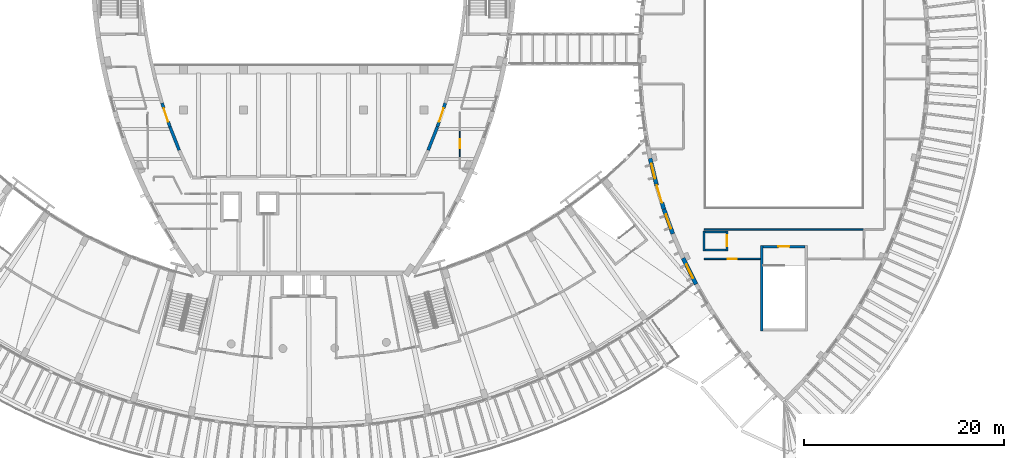
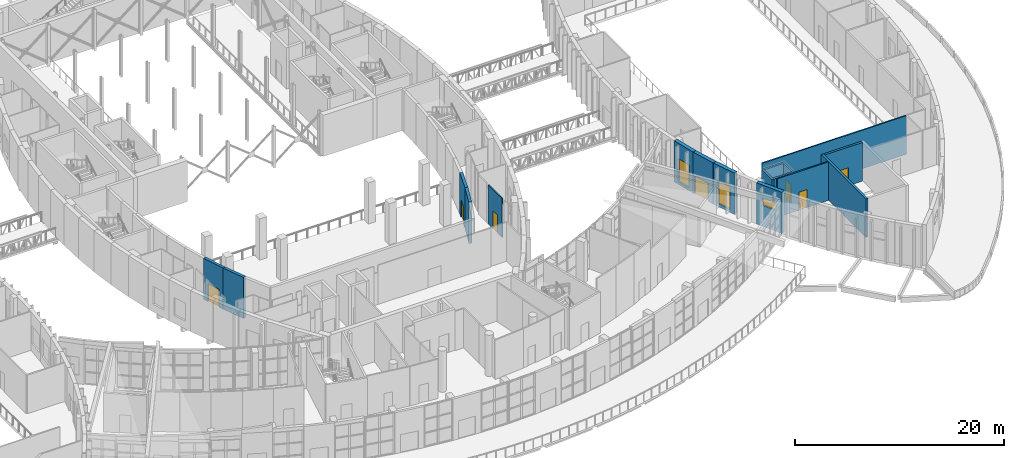
# One storey, part 60 of 93: 17 walls, 7 doors, 3 windows, 10 openings.
"""IFC4 building model written with IfcOpenShell, lengths in metres."""

from ifc_helpers import new_model, si_unit, direction, frame, frame_2d, origin, place, context, subcontext, project, spatial, rectangle, extrude, material, layer, layer_set, type_object, element, fill, save


model = new_model("IFC4")

# Units and contexts
model_context = context("Model", 3, precision=1e-05, world=origin(), true_north=direction((0.0, 1.0)))
body_context = subcontext(model_context, "Body", "Model", "MODEL_VIEW")
ifc_project = project(units=[si_unit("LENGTHUNIT", "METRE"), si_unit("AREAUNIT", "SQUARE_METRE"), si_unit("VOLUMEUNIT", "CUBIC_METRE"), si_unit("PLANEANGLEUNIT", "RADIAN"), si_unit("MASSUNIT", "GRAM", prefix="KILO")], contexts=[model_context])

# Site, building, storey
site_placement = place(None, origin())
site = spatial("IfcSite", under=ifc_project, at=site_placement, CompositionType="ELEMENT")
building_placement = place(site_placement, origin())
building = spatial("IfcBuilding", under=site, at=building_placement, Name="Tide Square Theatres", CompositionType="ELEMENT")
storey_placement = place(building_placement, frame((0.0, 0.0, 5.39990234375)))
storey = spatial("IfcBuildingStorey", under=building, at=storey_placement, Name="L01", CompositionType="ELEMENT", Elevation=5.39990234375)

# Wall, opening, door
ifc_material_1 = material(Name="Gypsum board on steel studs", Category="steel")
ifc_layer_1 = layer(ifc_material_1, 0.10009765625)
ifc_layer_set_1 = layer_set([ifc_layer_1], Name="Gypsum board on steel studs")
wall_type_1 = type_object("IfcWallType", Name="Partition 100 thick", PredefinedType="PARTITIONING", material=ifc_layer_set_1)
wall_1_placement = place(storey_placement, frame((99.60009765625, 35.179931640625, 0.0), z_axis=(0.0, 0.0, 1.0), x_axis=(0.0, 1.0, 0.0)))
wall_1 = element("IfcWall", 1, at=wall_1_placement, inside=storey, type_object=wall_type_1, Name="Partition", PredefinedType="PARTITIONING", context=body_context, shape_type="SweptSolid", body=[
    extrude(rectangle(XDim=2.64013671875, YDim=0.10009765625, at=frame_2d((1.320068359375, 0.0))), origin(), (0.0, 0.0, 1.0), 4.550048828125),
])
opening_1_placement = place(wall_1_placement, frame((0.8701171875, 0.0, 0.0)))
opening_1 = element("IfcOpeningElement", 2, at=opening_1_placement, cuts=wall_1, Name="Opening M01-13", PredefinedType="OPENING", context=body_context, shape_type="SweptSolid", body=[
    extrude(rectangle(XDim=0.89990234375, YDim=2.10009765625, at=frame_2d((0.449951171875, 1.050048828125))), frame((0.0, 0.06005859375, 0.0), z_axis=(0.0, -1.0, 0.0), x_axis=(1.0, 0.0, 0.0)), (0.0, 0.0, 1.0), 0.1201171875),
])
ifc_material_2 = material(Name="Hardwood timber", Category="wood")
door_type_1 = type_object("IfcDoorType", Name="Door 900 x 2100 single leaf", OperationType="NOTDEFINED", PredefinedType="DOOR", material=ifc_material_2)
door_1_placement = place(opening_1_placement, frame((0.89990234375, 0.0, 0.0), z_axis=(0.0, 0.0, 1.0), x_axis=(-1.0, 0.0, 0.0)))
door_1 = element("IfcDoor", 3, at=door_1_placement, inside=storey, type_object=door_type_1, Name="Musicians' Room 02 door", OperationType="SINGLE_SWING_LEFT", OverallHeight=2.10009765625, OverallWidth=0.89990234375, PredefinedType="DOOR", context=body_context, shape_type="SweptSolid", body=[
    extrude(rectangle(XDim=0.89990234375, YDim=2.10009765625, at=frame_2d((0.449951171875, 1.050048828125))), frame((0.0, 0.02490234375, 0.0), z_axis=(0.0, -1.0, 0.0), x_axis=(1.0, 0.0, 0.0)), (0.0, 0.0, 1.0), 0.050048828125),
])
fill(opening_1, door_1)

# Wall
ifc_material_3 = material(Name="Gypsum board on steel studs", Category="steel")
ifc_layer_2 = layer(ifc_material_3, 0.14990234375)
ifc_layer_set_2 = layer_set([ifc_layer_2], Name="Gypsum board on steel studs")
wall_type_2 = type_object("IfcWallType", Name="Partition 150 thick", PredefinedType="PARTITIONING", material=ifc_layer_set_2)
wall_2_placement = place(storey_placement, frame((139.93994140625, 27.949951171875, 0.0), z_axis=(0.0, 0.0, 1.0), x_axis=(-1.0, 0.0, 0.0)))
element("IfcWall", 4, at=wall_2_placement, inside=storey, type_object=wall_type_2, Name="Black Box Theatre partition", PredefinedType="PARTITIONING", context=body_context, shape_type="SweptSolid", body=[
    extrude(rectangle(XDim=15.919921875, YDim=0.14990234375, at=frame_2d((7.9599609375, 0.0))), origin(), (0.0, 0.0, 1.0), 4.5),
])

# Wall, opening, door
wall_3_placement = place(storey_placement, frame((129.650390625, 25.0, 0.0), z_axis=(0.0, 0.0, 1.0), x_axis=(-1.0, 0.0, 0.0)))
wall_3 = element("IfcWall", 5, at=wall_3_placement, inside=storey, type_object=wall_type_2, Name="Black Box Theatre partition", PredefinedType="PARTITIONING", context=body_context, shape_type="SweptSolid", body=[
    extrude(rectangle(XDim=5.63037109375, YDim=0.14990234375, at=frame_2d((2.815185546875, 0.0))), origin(), (0.0, 0.0, 1.0), 4.5),
])
opening_2_placement = place(wall_3_placement, frame((2.365234375, 0.0, 0.0)))
opening_2 = element("IfcOpeningElement", 6, at=opening_2_placement, cuts=wall_3, Name="Opening B01-12", PredefinedType="OPENING", context=body_context, shape_type="SweptSolid", body=[
    extrude(rectangle(XDim=0.89990234375, YDim=2.10009765625, at=frame_2d((0.449951171875, 1.050048828125))), frame((0.0, 0.0849609375, 0.0), z_axis=(0.0, -1.0, 0.0), x_axis=(1.0, 0.0, 0.0)), (0.0, 0.0, 1.0), 0.169921875),
])
door_2_placement = place(opening_2_placement, origin())
door_2 = element("IfcDoor", 7, at=door_2_placement, inside=storey, type_object=door_type_1, Name="Costume Store door", OperationType="SINGLE_SWING_RIGHT", OverallHeight=2.10009765625, OverallWidth=0.89990234375, PredefinedType="DOOR", context=body_context, shape_type="SweptSolid", body=[
    extrude(rectangle(XDim=0.89990234375, YDim=2.10009765625, at=frame_2d((0.449951171875, 1.050048828125))), frame((0.0, 0.02490234375, 0.0), z_axis=(0.0, -1.0, 0.0), x_axis=(1.0, 0.0, 0.0)), (0.0, 0.0, 1.0), 0.050048828125),
])
fill(opening_2, door_2)

# Wall, opening, window
ifc_material_4 = material(Name="Concrete C40", Category="concrete")
ifc_layer_3 = layer(ifc_material_4, 0.39990234375)
ifc_layer_set_3 = layer_set([ifc_layer_3], Name="Concrete C40")
wall_type_3 = type_object("IfcWallType", Name="RC curved wall 400 thick", PredefinedType="SOLIDWALL", material=ifc_layer_set_3)
wall_4_placement = place(storey_placement, frame((118.623046875, 35.03662109375, 0.0), z_axis=(0.0, 0.0, 1.0), x_axis=(0.235108668597, -0.971969091047, 0.0)))
wall_4 = element("IfcWall", 8, at=wall_4_placement, inside=storey, type_object=wall_type_3, Name="Black Box Theatre perimeter wall", PredefinedType="SOLIDWALL", context=body_context, shape_type="SweptSolid", body=[
    extrude(rectangle(XDim=2.61669921875, YDim=0.39990234375, at=frame_2d((1.308349609375, 0.0))), origin(), (0.0, 0.0, 1.0), 4.800048828125),
])
opening_3_placement = place(wall_4_placement, frame((0.558349609375, 0.0, 0.300048828125)))
opening_3 = element("IfcOpeningElement", 9, at=opening_3_placement, cuts=wall_4, Name="Opening WN-02", PredefinedType="OPENING", context=body_context, shape_type="SweptSolid", body=[
    extrude(rectangle(XDim=1.5, YDim=2.699951171875, at=frame_2d((0.75, 1.35009765625))), frame((0.0, 0.2099609375, 0.0), z_axis=(0.0, -1.0, 0.0), x_axis=(1.0, 0.0, 0.0)), (0.0, 0.0, 1.0), 0.419921875),
])
ifc_material_5 = material(Name="Aluminium with laminated glass", Category="aluminium")
window_type_1 = type_object("IfcWindowType", Name="Window 1500 x 2700", PartitioningType="SINGLE_PANEL", PredefinedType="WINDOW", material=ifc_material_5)
window_1_placement = place(opening_3_placement, origin())
window_1 = element("IfcWindow", 10, at=window_1_placement, inside=storey, type_object=window_type_1, Name="Black Box Theatre Black Box West Landing window", OverallHeight=2.699951171875, OverallWidth=1.5, PartitioningType="SINGLE_PANEL", PredefinedType="WINDOW", context=body_context, shape_type="SweptSolid", body=[
    extrude(rectangle(XDim=1.5, YDim=2.699951171875, at=frame_2d((0.75, 1.35009765625))), frame((0.0, 0.030029296875, 0.0), z_axis=(0.0, -1.0, 0.0), x_axis=(1.0, 0.0, 0.0)), (0.0, 0.0, 1.0), 0.06005859375),
])
fill(opening_3, window_1)

# Wall, opening, door
wall_5_placement = place(storey_placement, frame((119.2412109375, 32.482666015625, 0.0), z_axis=(0.0, 0.0, 1.0), x_axis=(0.288212317298, -0.957566530408, 0.0)))
wall_5 = element("IfcWall", 11, at=wall_5_placement, inside=storey, type_object=wall_type_3, Name="Black Box Theatre perimeter wall", PredefinedType="SOLIDWALL", context=body_context, shape_type="SweptSolid", body=[
    extrude(rectangle(XDim=2.61669921875, YDim=0.39990234375, at=frame_2d((1.308349609375, 0.0))), origin(), (0.0, 0.0, 1.0), 4.800048828125),
])
opening_4_placement = place(wall_5_placement, frame((0.14990234375, 0.0, 0.0)))
opening_4 = element("IfcOpeningElement", 12, at=opening_4_placement, cuts=wall_5, Name="Opening B01-01", PredefinedType="OPENING", context=body_context, shape_type="SweptSolid", body=[
    extrude(rectangle(XDim=1.800048828125, YDim=2.10009765625, at=frame_2d((0.89990234375, 1.050048828125))), frame((0.0, 0.2099609375, 0.0), z_axis=(0.0, -1.0, 0.0), x_axis=(1.0, 0.0, 0.0)), (0.0, 0.0, 1.0), 0.419921875),
])
ifc_material_6 = material(Name="Hardwood timber", Category="wood")
door_type_2 = type_object("IfcDoorType", Name="Door 1800 x 2100 double leaf", OperationType="DOUBLE_DOOR_SINGLE_SWING", PredefinedType="DOOR", material=ifc_material_6)
door_3_placement = place(opening_4_placement, frame((1.800048828125, 0.0, 0.0), z_axis=(0.0, 0.0, 1.0), x_axis=(-1.0, 0.0, 0.0)))
door_3 = element("IfcDoor", 13, at=door_3_placement, inside=storey, type_object=door_type_2, Name="Black Box Theatre foyer door", OperationType="DOUBLE_DOOR_SINGLE_SWING", OverallHeight=2.10009765625, OverallWidth=1.800048828125, PredefinedType="DOOR", context=body_context, shape_type="SweptSolid", body=[
    extrude(rectangle(XDim=1.800048828125, YDim=2.10009765625, at=frame_2d((0.89990234375, 1.050048828125))), frame((0.0, 0.02490234375, 0.0), z_axis=(0.0, -1.0, 0.0), x_axis=(1.0, 0.0, 0.0)), (0.0, 0.0, 1.0), 0.050048828125),
])
fill(opening_4, door_3)

# Wall, opening, window
wall_6_placement = place(storey_placement, frame((119.998779296875, 29.966552734375, 0.0), z_axis=(0.0, 0.0, 1.0), x_axis=(0.340394146267, -0.940282843184, 0.0)))
wall_6 = element("IfcWall", 14, at=wall_6_placement, inside=storey, type_object=wall_type_3, Name="Black Box Theatre perimeter wall", PredefinedType="SOLIDWALL", context=body_context, shape_type="SweptSolid", body=[
    extrude(rectangle(XDim=2.616455078125, YDim=0.39990234375, at=frame_2d((1.30810546875, 0.0))), origin(), (0.0, 0.0, 1.0), 4.800048828125),
])
opening_5_placement = place(wall_6_placement, frame((0.558349609375, 0.0, 0.300048828125)))
opening_5 = element("IfcOpeningElement", 15, at=opening_5_placement, cuts=wall_6, Name="Opening WN-02", PredefinedType="OPENING", context=body_context, shape_type="SweptSolid", body=[
    extrude(rectangle(XDim=1.5, YDim=2.699951171875, at=frame_2d((0.75, 1.35009765625))), frame((0.0, 0.2099609375, 0.0), z_axis=(0.0, -1.0, 0.0), x_axis=(1.0, 0.0, 0.0)), (0.0, 0.0, 1.0), 0.419921875),
])
window_2_placement = place(opening_5_placement, origin())
window_2 = element("IfcWindow", 16, at=window_2_placement, inside=storey, type_object=window_type_1, Name="Black Box Theatre Black Box West Landing window", OverallHeight=2.699951171875, OverallWidth=1.5, PartitioningType="SINGLE_PANEL", PredefinedType="WINDOW", context=body_context, shape_type="SweptSolid", body=[
    extrude(rectangle(XDim=1.5, YDim=2.699951171875, at=frame_2d((0.75, 1.35009765625))), frame((0.0, 0.030029296875, 0.0), z_axis=(0.0, -1.0, 0.0), x_axis=(1.0, 0.0, 0.0)), (0.0, 0.0, 1.0), 0.06005859375),
])
fill(opening_5, window_2)

wall_7_placement = place(storey_placement, frame((121.92236328125, 25.078369140625, 0.0), z_axis=(0.0, 0.0, 1.0), x_axis=(0.44433489597, -0.895860759395, 0.0)))
wall_7 = element("IfcWall", 17, at=wall_7_placement, inside=storey, type_object=wall_type_3, Name="Black Box Theatre perimeter wall", PredefinedType="SOLIDWALL", context=body_context, shape_type="SweptSolid", body=[
    extrude(rectangle(XDim=2.919677734375, YDim=0.39990234375, at=frame_2d((1.4599609375, 0.0))), origin(), (0.0, 0.0, 1.0), 4.800048828125),
])
opening_6_placement = place(wall_7_placement, frame((0.7099609375, 0.0, 2.39990234375)))
opening_6 = element("IfcOpeningElement", 18, at=opening_6_placement, cuts=wall_7, Name="Opening WN-04", PredefinedType="OPENING", context=body_context, shape_type="SweptSolid", body=[
    extrude(rectangle(XDim=1.5, YDim=0.89990234375, at=frame_2d((0.75, 0.449951171875))), frame((0.0, 0.2099609375, 0.0), z_axis=(0.0, -1.0, 0.0), x_axis=(1.0, 0.0, 0.0)), (0.0, 0.0, 1.0), 0.419921875),
])
ifc_material_7 = material(Name="Aluminium with laminated glass", Category="aluminium")
window_type_2 = type_object("IfcWindowType", Name="Window 1500 x 900", PartitioningType="SINGLE_PANEL", PredefinedType="WINDOW", material=ifc_material_7)
window_3_placement = place(opening_6_placement, origin())
window_3 = element("IfcWindow", 19, at=window_3_placement, inside=storey, type_object=window_type_2, Name="Black Box Theatre Costume Store window", OverallHeight=0.89990234375, OverallWidth=1.5, PartitioningType="SINGLE_PANEL", PredefinedType="WINDOW", context=body_context, shape_type="SweptSolid", body=[
    extrude(rectangle(XDim=1.5, YDim=0.89990234375, at=frame_2d((0.75, 0.449951171875))), frame((0.0, 0.030029296875, 0.0), z_axis=(0.0, -1.0, 0.0), x_axis=(1.0, 0.0, 0.0)), (0.0, 0.0, 1.0), 0.06005859375),
])
fill(opening_6, window_3)

# Wall, opening, door
ifc_material_8 = material(Name="Concrete C40", Category="concrete")
ifc_layer_4 = layer(ifc_material_8, 0.199951171875)
ifc_layer_set_4 = layer_set([ifc_layer_4], Name="Concrete C40")
wall_type_4 = type_object("IfcWallType", Name="RC shear wall 200 thick", PredefinedType="SHEAR", material=ifc_layer_set_4)
wall_8_placement = place(storey_placement, frame((126.320068359375, 25.800048828125, 0.0), z_axis=(0.0, 0.0, 1.0), x_axis=(0.0, 1.0, 0.0)))
wall_8 = element("IfcWall", 20, at=wall_8_placement, inside=storey, type_object=wall_type_4, Name="Black Box Theatre lift shaft wall", PredefinedType="SHEAR", context=body_context, shape_type="SweptSolid", body=[
    extrude(rectangle(XDim=2.0, YDim=0.199951171875, at=frame_2d((1.0, 0.0))), origin(), (0.0, 0.0, 1.0), 3.900146484375),
])
opening_7_placement = place(wall_8_placement, frame((0.449951171875, 0.0, 0.0)))
opening_7 = element("IfcOpeningElement", 21, at=opening_7_placement, cuts=wall_8, Name="Opening LD-B1-1", PredefinedType="OPENING", context=body_context, shape_type="SweptSolid", body=[
    extrude(rectangle(XDim=1.10009765625, YDim=2.199951171875, at=frame_2d((0.550048828125, 1.10009765625))), frame((0.0, 0.10986328125, 0.0), z_axis=(0.0, -1.0, 0.0), x_axis=(1.0, 0.0, 0.0)), (0.0, 0.0, 1.0), 0.219970703125),
])
ifc_material_9 = material(Name="Painted steel", Category="steel")
door_type_3 = type_object("IfcDoorType", Name="Door 1100 x 2200 sliding", OperationType="SLIDING_TO_LEFT", PredefinedType="DOOR", material=ifc_material_9)
door_4_placement = place(opening_7_placement, origin())
door_4 = element("IfcDoor", 22, at=door_4_placement, inside=storey, type_object=door_type_3, Name="Black Box Theatre lift landing door L01", OperationType="SLIDING_TO_LEFT", OverallHeight=2.199951171875, OverallWidth=1.10009765625, PredefinedType="DOOR", context=body_context, shape_type="SweptSolid", body=[
    extrude(rectangle(XDim=1.10009765625, YDim=2.199951171875, at=frame_2d((0.550048828125, 1.10009765625))), frame((0.0, 0.02490234375, 0.0), z_axis=(0.0, -1.0, 0.0), x_axis=(1.0, 0.0, 0.0)), (0.0, 0.0, 1.0), 0.050048828125),
])
fill(opening_7, door_4)

# Walls
wall_9_placement = place(storey_placement, frame((124.02001953125, 27.800048828125, 0.0), z_axis=(0.0, 0.0, 1.0), x_axis=(0.0, -1.0, 0.0)))
element("IfcWall", 23, at=wall_9_placement, inside=storey, type_object=wall_type_4, Name="Black Box Theatre lift shaft wall", PredefinedType="SHEAR", context=body_context, shape_type="SweptSolid", body=[
    extrude(rectangle(XDim=2.0, YDim=0.199951171875, at=frame_2d((1.0, 0.0))), origin(), (0.0, 0.0, 1.0), 3.900146484375),
])
for number, where, z_axis, x_axis, name in (
    (24, (124.1201171875, 25.89990234375, 0.0), (0.0, 0.0, 1.0), (1.0, 0.0, 0.0), "Black Box Theatre lift shaft wall"),
    (25, (126.219970703125, 27.699951171875, 0.0), (0.0, 0.0, 1.0), (-1.0, 0.0, 0.0), "Black Box Theatre lift shaft wall"),
):
    element("IfcWall", number, at=place(storey_placement, frame(where, z_axis=z_axis, x_axis=x_axis)), inside=storey, type_object=wall_type_4, Name=name, PredefinedType="SHEAR", context=body_context, shape_type="SweptSolid", body=[
        extrude(rectangle(XDim=2.099853515625, YDim=0.199951171875, at=frame_2d((1.0498046875, 0.0))), origin(), (0.0, 0.0, 1.0), 3.900146484375),
    ])
ifc_material_10 = material(Name="Concrete C40", Category="concrete")
ifc_layer_5 = layer(ifc_material_10, 0.25)
ifc_layer_set_5 = layer_set([ifc_layer_5], Name="Concrete C40")
wall_type_5 = type_object("IfcWallType", Name="RC shear wall 250 thick", PredefinedType="SHEAR", material=ifc_layer_set_5)
wall_10_placement = place(storey_placement, frame((129.77490234375, 26.35009765625, 0.0), z_axis=(0.0, 0.0, 1.0), x_axis=(0.0, -1.0, 0.0)))
element("IfcWall", 26, at=wall_10_placement, inside=storey, type_object=wall_type_5, Name="Black Box Theatre Stair B2 shaft wall", PredefinedType="SHEAR", context=body_context, shape_type="SweptSolid", body=[
    extrude(rectangle(XDim=8.550048828125, YDim=0.25, at=frame_2d((4.27490234375, 0.0))), origin(), (0.0, 0.0, 1.0), 4.5),
])

# Wall, opening, door
wall_11_placement = place(storey_placement, frame((129.89990234375, 26.22509765625, 0.0), z_axis=(0.0, 0.0, 1.0), x_axis=(1.0, 0.0, 0.0)))
wall_11 = element("IfcWall", 27, at=wall_11_placement, inside=storey, type_object=wall_type_5, Name="Black Box Theatre Stair B2 shaft wall", PredefinedType="SHEAR", context=body_context, shape_type="SweptSolid", body=[
    extrude(rectangle(XDim=4.2001953125, YDim=0.25, at=frame_2d((2.10009765625, 0.0))), origin(), (0.0, 0.0, 1.0), 4.5),
])
opening_8_placement = place(wall_11_placement, frame((1.550048828125, 0.0, 0.0)))
opening_8 = element("IfcOpeningElement", 28, at=opening_8_placement, cuts=wall_11, Name="Opening B01-17", PredefinedType="OPENING", context=body_context, shape_type="SweptSolid", body=[
    extrude(rectangle(XDim=1.10009765625, YDim=2.10009765625, at=frame_2d((0.550048828125, 1.050048828125))), frame((0.0, 0.135009765625, 0.0), z_axis=(0.0, -1.0, 0.0), x_axis=(1.0, 0.0, 0.0)), (0.0, 0.0, 1.0), 0.27001953125),
])
ifc_material_11 = material(Name="Painted steel", Category="steel")
door_type_4 = type_object("IfcDoorType", Name="Door 1100 x 2100 single leaf", OperationType="NOTDEFINED", PredefinedType="DOOR", material=ifc_material_11)
door_5_placement = place(opening_8_placement, origin())
door_5 = element("IfcDoor", 29, at=door_5_placement, inside=storey, type_object=door_type_4, Name="Black Box Theatre stair door", OperationType="SINGLE_SWING_RIGHT", OverallHeight=2.10009765625, OverallWidth=1.10009765625, PredefinedType="DOOR", context=body_context, shape_type="SweptSolid", body=[
    extrude(rectangle(XDim=1.10009765625, YDim=2.10009765625, at=frame_2d((0.550048828125, 1.050048828125))), frame((0.0, 0.02490234375, 0.0), z_axis=(0.0, -1.0, 0.0), x_axis=(1.0, 0.0, 0.0)), (0.0, 0.0, 1.0), 0.050048828125),
])
fill(opening_8, door_5)

ifc_material_12 = material(Name="Concrete C40", Category="concrete")
ifc_layer_6 = layer(ifc_material_12, 0.300048828125)
ifc_layer_set_6 = layer_set([ifc_layer_6], Name="Concrete C40")
wall_type_6 = type_object("IfcWallType", Name="RC shear wall 300 thick", PredefinedType="SHEAR", material=ifc_layer_set_6)
wall_12_placement = place(storey_placement, frame((69.840087890625, 40.568603515625, 0.0), z_axis=(0.0, 0.0, 1.0), x_axis=(0.318855282586, -0.947803412511, 0.0)))
wall_12 = element("IfcWall", 30, at=wall_12_placement, inside=storey, type_object=wall_type_6, Name="Main Theatre auditorium wall", PredefinedType="SHEAR", context=body_context, shape_type="SweptSolid", body=[
    extrude(rectangle(XDim=2.507568359375, YDim=0.300048828125, at=frame_2d((1.25390625, 0.0))), origin(), (0.0, 0.0, 1.0), 4.800048828125),
])
opening_9_placement = place(wall_12_placement, frame((0.550048828125, 0.0, 0.0)))
opening_9 = element("IfcOpeningElement", 31, at=opening_9_placement, cuts=wall_12, Name="Opening M01-25", PredefinedType="OPENING", context=body_context, shape_type="SweptSolid", body=[
    extrude(rectangle(XDim=1.39990234375, YDim=2.10009765625, at=frame_2d((0.699951171875, 1.050048828125))), frame((0.0, 0.159912109375, 0.0), z_axis=(0.0, -1.0, 0.0), x_axis=(1.0, 0.0, 0.0)), (0.0, 0.0, 1.0), 0.320068359375),
])
ifc_material_13 = material(Name="Hardwood timber", Category="wood")
door_type_5 = type_object("IfcDoorType", Name="Door 1400 x 2100 double leaf", OperationType="DOUBLE_DOOR_SINGLE_SWING", PredefinedType="DOOR", material=ifc_material_13)
door_6_placement = place(opening_9_placement, origin())
door_6 = element("IfcDoor", 32, at=door_6_placement, inside=storey, type_object=door_type_5, Name="Auditorium side exit pair", OperationType="DOUBLE_DOOR_SINGLE_SWING", OverallHeight=2.10009765625, OverallWidth=1.39990234375, PredefinedType="DOOR", context=body_context, shape_type="SweptSolid", body=[
    extrude(rectangle(XDim=1.39990234375, YDim=2.10009765625, at=frame_2d((0.699951171875, 1.050048828125))), frame((0.0, 0.02490234375, 0.0), z_axis=(0.0, -1.0, 0.0), x_axis=(1.0, 0.0, 0.0)), (0.0, 0.0, 1.0), 0.050048828125),
])
fill(opening_9, door_6)

# Walls
for number, where, z_axis, x_axis, name in (
    (33, (70.6396484375, 38.19189453125, 0.0), (0.0, 0.0, 1.0), (0.366944326543, -0.930242904417, 0.0), "Main Theatre auditorium wall"),
    (34, (96.4423828125, 35.86474609375, 0.0), (0.0, 0.0, 1.0), (0.366944326543, 0.930242904417, 0.0), "Main Theatre auditorium wall"),
):
    element("IfcWall", number, at=place(storey_placement, frame(where, z_axis=z_axis, x_axis=x_axis)), inside=storey, type_object=wall_type_6, Name=name, PredefinedType="SHEAR", context=body_context, shape_type="SweptSolid", body=[
        extrude(rectangle(XDim=2.501708984375, YDim=0.300048828125, at=frame_2d((1.2509765625, 0.0))), origin(), (0.0, 0.0, 1.0), 4.800048828125),
    ])

# Wall, opening, door
wall_13_placement = place(storey_placement, frame((97.3603515625, 38.19189453125, 0.0), z_axis=(0.0, 0.0, 1.0), x_axis=(0.318855282586, 0.947803412511, 0.0)))
wall_13 = element("IfcWall", 35, at=wall_13_placement, inside=storey, type_object=wall_type_6, Name="Main Theatre auditorium wall", PredefinedType="SHEAR", context=body_context, shape_type="SweptSolid", body=[
    extrude(rectangle(XDim=2.507568359375, YDim=0.300048828125, at=frame_2d((1.25390625, 0.0))), origin(), (0.0, 0.0, 1.0), 4.800048828125),
])
opening_10_placement = place(wall_13_placement, frame((0.550048828125, 0.0, 0.0)))
opening_10 = element("IfcOpeningElement", 36, at=opening_10_placement, cuts=wall_13, Name="Opening M01-26", PredefinedType="OPENING", context=body_context, shape_type="SweptSolid", body=[
    extrude(rectangle(XDim=1.39990234375, YDim=2.10009765625, at=frame_2d((0.699951171875, 1.050048828125))), frame((0.0, 0.159912109375, 0.0), z_axis=(0.0, -1.0, 0.0), x_axis=(1.0, 0.0, 0.0)), (0.0, 0.0, 1.0), 0.320068359375),
])
door_7_placement = place(opening_10_placement, origin())
door_7 = element("IfcDoor", 37, at=door_7_placement, inside=storey, type_object=door_type_5, Name="Auditorium side exit pair", OperationType="DOUBLE_DOOR_SINGLE_SWING", OverallHeight=2.10009765625, OverallWidth=1.39990234375, PredefinedType="DOOR", context=body_context, shape_type="SweptSolid", body=[
    extrude(rectangle(XDim=1.39990234375, YDim=2.10009765625, at=frame_2d((0.699951171875, 1.050048828125))), frame((0.0, 0.02490234375, 0.0), z_axis=(0.0, -1.0, 0.0), x_axis=(1.0, 0.0, 0.0)), (0.0, 0.0, 1.0), 0.050048828125),
])
fill(opening_10, door_7)

save(model, "model.ifc")
